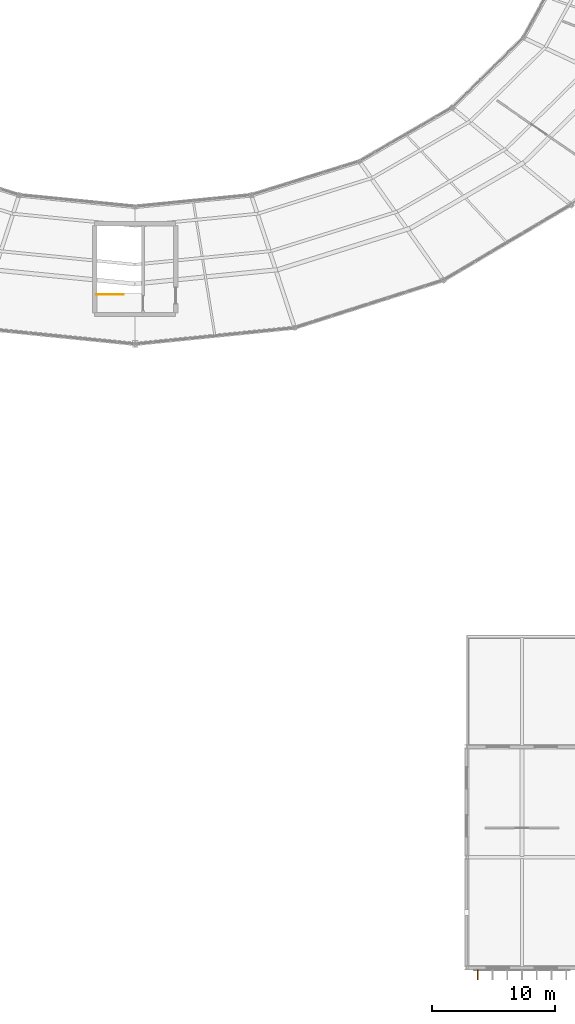
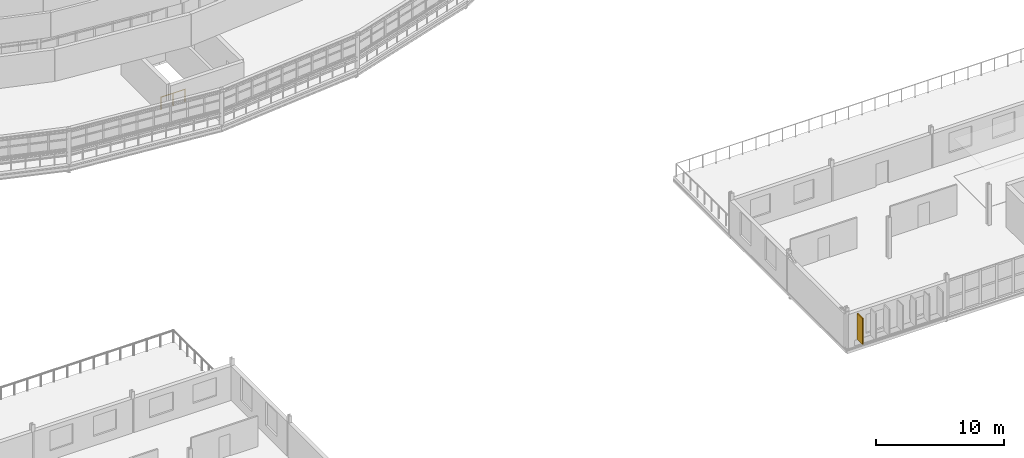
# One storey, part 116 of 123: 1 railing, 1 shading device.
"""IFC4 building model written with IfcOpenShell, lengths in metres."""

import ifcopenshell
import ifcopenshell.guid

model = None  # the IFC model being written
_history = None  # IfcOwnerHistory: only IFC2X3 demands one
_inside = {}  # id of a spatial element -> (the spatial element, [elements in it])
_under = {}  # id of a project, library or spatial element -> (it, [spatial elements below it])
_declared = {}  # id of a project -> (the project, [libraries it declares])
_typed = {}  # id of a type object -> (the type object, [elements of that type])
_made_of = {}  # id of a material, layer set ... -> (it, [elements and type objects made of it])


def new_model(schema):
    """Start an empty IFC model of exactly this schema.

    Asked for "IFC4X3", IfcOpenShell would pick the latest addendum, in which some entities
    have other attributes; the version numbers below select the first issue.
    IFC2X3 requires an IfcOwnerHistory on every rooted entity: one is made here for all.
    """
    global model, _history
    if schema == "IFC4X3":
        model = ifcopenshell.file(schema_version=(4, 3, 0, 0))
    else:
        model = ifcopenshell.file(schema=schema)
    _inside.clear()
    _under.clear()
    _declared.clear()
    _typed.clear()
    _made_of.clear()
    _history = None
    if model.schema == "IFC2X3":
        org = make("IfcOrganization", Name="unknown")
        user = make(
            "IfcPersonAndOrganization",
            ThePerson=make("IfcPerson", FamilyName="unknown"),
            TheOrganization=org,
        )
        app = make(
            "IfcApplication",
            ApplicationDeveloper=org,
            Version="unknown",
            ApplicationFullName="unknown",
            ApplicationIdentifier="unknown",
        )
        _history = make(
            "IfcOwnerHistory",
            OwningUser=user,
            OwningApplication=app,
            ChangeAction="ADDED",
            CreationDate=0,
        )
    return model


def make(cls, **values):
    """One entity of the class cls with the attributes given. An attribute that is None is left unset."""
    return model.create_entity(
        cls, **{name: value for name, value in values.items() if value is not None}
    )


def rooted(cls, **values):
    """An entity with a GlobalId (a new one), such as an element, a storey or a relation."""
    return make(cls, GlobalId=ifcopenshell.guid.new(), OwnerHistory=_history, **values)


def si_unit(unit_type, name, prefix=None):
    """IfcSIUnit, for example si_unit("LENGTHUNIT", "METRE", prefix="MILLI")."""
    return make("IfcSIUnit", UnitType=unit_type, Prefix=prefix, Name=name)


def assignment(units):
    """IfcUnitAssignment: the units of a project."""
    return None if units is None else make("IfcUnitAssignment", Units=units)


def point(xyz):
    """IfcCartesianPoint."""
    return None if xyz is None else make("IfcCartesianPoint", Coordinates=xyz)


def direction(xyz):
    """IfcDirection."""
    return None if xyz is None else make("IfcDirection", DirectionRatios=xyz)


def frame(location, z_axis=None, x_axis=None):
    """IfcAxis2Placement3D, a coordinate frame: its origin and axes. An axis left out is left unset."""
    return make(
        "IfcAxis2Placement3D",
        Location=point(location),
        Axis=direction(z_axis),
        RefDirection=direction(x_axis),
    )


def frame_2d(location, x_axis=None):
    """IfcAxis2Placement2D, a coordinate frame in the plane: its origin and x axis."""
    return make(
        "IfcAxis2Placement2D", Location=point(location), RefDirection=direction(x_axis)
    )


def origin():
    """The frame at (0, 0, 0) with its axes left unset."""
    return frame((0.0, 0.0, 0.0))


def origin_2d():
    """The frame at (0, 0) in the plane with its x axis left unset."""
    return frame_2d((0.0, 0.0))


def place(relative_to, where):
    """IfcLocalPlacement: puts the frame where relative to a parent placement (None: the world)."""
    return make(
        "IfcLocalPlacement", PlacementRelTo=relative_to, RelativePlacement=where
    )


def context(
    kind, dimensions, precision=None, world=None, true_north=None, identifier=None
):
    """IfcGeometricRepresentationContext, for example the 3D "Model" context."""
    return make(
        "IfcGeometricRepresentationContext",
        ContextIdentifier=identifier,
        ContextType=kind,
        CoordinateSpaceDimension=dimensions,
        Precision=precision,
        WorldCoordinateSystem=world,
        TrueNorth=true_north,
    )


def subcontext(parent, identifier, kind, view, scale=None):
    """IfcGeometricRepresentationSubContext, for example "Body" below "Model"."""
    return make(
        "IfcGeometricRepresentationSubContext",
        ContextIdentifier=identifier,
        ContextType=kind,
        ParentContext=parent,
        TargetScale=scale,
        TargetView=view,
    )


def project(units=None, contexts=None):
    """IfcProject with its units and contexts."""
    return rooted(
        "IfcProject",
        Name="project",
        RepresentationContexts=contexts,
        UnitsInContext=assignment(units),
    )


def spatial(cls, under=None, at=None, **own):
    """A site, building, storey or space (cls), placed at a placement, below another one or the project."""
    s = rooted(cls, ObjectPlacement=at, **own)
    if under is not None:
        _under.setdefault(under.id(), (under, []))[1].append(s)
    return s


def profile(cls, at=None, kind="AREA", **sizes):
    """A parametric profile (cls). Its sizes go by their IFC names, for example OverallWidth=200.0."""
    return make(cls, ProfileType=kind, Position=at, **sizes)


def rectangle(**sizes):
    """IfcRectangleProfileDef."""
    return profile("IfcRectangleProfileDef", **sizes)


def circle(**sizes):
    """IfcCircleProfileDef."""
    return profile("IfcCircleProfileDef", **sizes)


def extrude(swept, where, along, depth):
    """IfcExtrudedAreaSolid: the profile swept, set in the frame where, extruded along a direction by depth."""
    return make(
        "IfcExtrudedAreaSolid",
        SweptArea=swept,
        Position=where,
        ExtrudedDirection=direction(along),
        Depth=depth,
    )


def shape(context_of_items, identifier, shape_type, items):
    """IfcShapeRepresentation: the items that make up one representation, for example the "Body"."""
    return make(
        "IfcShapeRepresentation",
        ContextOfItems=context_of_items,
        RepresentationIdentifier=identifier,
        RepresentationType=shape_type,
        Items=items,
    )


def material(Name=None, Category=None):
    """IfcMaterial."""
    return make("IfcMaterial", Name=Name, Category=Category)


def layer(
    of_material, thickness, ventilated=None, Name=None, Category=None, Priority=None
):
    """IfcMaterialLayer: one layer of a wall or slab, of a material (None: an air gap)."""
    return make(
        "IfcMaterialLayer",
        Material=of_material,
        LayerThickness=thickness,
        IsVentilated=ventilated,
        Name=Name,
        Category=Category,
        Priority=Priority,
    )


def layer_set(layers, Name=None):
    """IfcMaterialLayerSet."""
    return make("IfcMaterialLayerSet", MaterialLayers=layers, LayerSetName=Name)


def made_of(thing, what):
    """Note that an element or type object is made of a material, layer set ...; save() writes the relation."""
    if what is not None:
        _made_of.setdefault(what.id(), (what, []))[1].append(thing)
    return thing


def type_object(cls, material=None, **own):
    """A type object (cls), such as IfcWallType, which elements share."""
    return made_of(rooted(cls, **own), material)


def element(
    cls,
    number,
    at=None,
    inside=None,
    cuts=None,
    type_object=None,
    material=None,
    context=None,
    identifier="Body",
    shape_type=None,
    held_by="IfcProductDefinitionShape",
    body=None,
    shapes=None,
    **own,
):
    """One element of the class cls, such as IfcWall. Its Tag is "e" and its number.

    at: its placement. inside: the storey or other place that contains it. cuts: it is an
    opening in that element (IfcRelVoidsElement). A single representation is given by context,
    identifier, shape_type and body (its items); several are given by shapes. held_by: the class
    of the entity that holds the representations. save() writes the other relations.
    """
    e = rooted(cls, Tag="e%d" % number, ObjectPlacement=at, **own)
    if body is not None:
        shapes = [shape(context, identifier, shape_type, body)]
    if shapes is not None:
        e.Representation = make(held_by, Representations=shapes)
    if inside is not None:
        _inside.setdefault(inside.id(), (inside, []))[1].append(e)
    if cuts is not None:
        rooted(
            "IfcRelVoidsElement", RelatingBuildingElement=cuts, RelatedOpeningElement=e
        )
    if type_object is not None:
        _typed.setdefault(type_object.id(), (type_object, []))[1].append(e)
    return made_of(e, material)


def aggregate(whole, parts):
    """IfcRelAggregates: a whole, such as a stair, and the parts it consists of."""
    return rooted("IfcRelAggregates", RelatingObject=whole, RelatedObjects=parts)


def save(model, path):
    """Write the relations noted so far, then the file.

    IfcRelAggregates (storeys below a building ...), IfcRelContainedInSpatialStructure (elements
    in a storey), IfcRelDefinesByType, IfcRelAssociatesMaterial and IfcRelDeclares: one each for
    every whole, place, type object, material and project.
    """
    for whole, parts in _under.values():
        aggregate(whole, parts)
    for where, things in _inside.values():
        rooted(
            "IfcRelContainedInSpatialStructure",
            RelatedElements=things,
            RelatingStructure=where,
        )
    for kind, things in _typed.values():
        rooted("IfcRelDefinesByType", RelatedObjects=things, RelatingType=kind)
    for what, things in _made_of.values():
        rooted("IfcRelAssociatesMaterial", RelatedObjects=things, RelatingMaterial=what)
    for by, libraries in _declared.values():
        rooted("IfcRelDeclares", RelatingContext=by, RelatedDefinitions=libraries)
    model.write(path)


model = new_model("IFC4")

# Units and contexts
model_context = context("Model", 3, precision=1e-05, world=origin(), true_north=direction((0.0, 1.0)))
body_context = subcontext(model_context, "Body", "Model", "MODEL_VIEW")
ifc_project = project(units=[si_unit("LENGTHUNIT", "METRE"), si_unit("AREAUNIT", "SQUARE_METRE"), si_unit("VOLUMEUNIT", "CUBIC_METRE"), si_unit("PLANEANGLEUNIT", "RADIAN"), si_unit("MASSUNIT", "GRAM", prefix="KILO")], contexts=[model_context])

# Site, building, storey
site_placement = place(None, origin())
site = spatial("IfcSite", under=ifc_project, at=site_placement, CompositionType="ELEMENT")
building_placement = place(site_placement, origin())
building = spatial("IfcBuilding", under=site, at=building_placement, Name="Kildeholm Park Wholesale Market", CompositionType="ELEMENT")
storey_placement = place(building_placement, frame((0.0, 0.0, 9.60009765625)))
storey = spatial("IfcBuildingStorey", under=building, at=storey_placement, Name="L02", CompositionType="ELEMENT", Elevation=9.60009765625)

# Shading device
ifc_material_1 = material(Name="Glazed ceramic and anodised aluminium brise-soleil", Category="aluminium")
ifc_layer = layer(ifc_material_1, 0.090087890625)
ifc_layer_set = layer_set([ifc_layer], Name="Glazed ceramic and anodised aluminium brise-soleil")
shading_device_type = type_object("IfcShadingDeviceType", Name="Brise-soleil solar fin SH-FIN2 850x90", PredefinedType="USERDEFINED", material=ifc_layer_set)
shading_device_placement = place(storey_placement, frame((126.89990234375, -0.56494140625, 0.599853515625), z_axis=(0.0, 0.0, 1.0), x_axis=(0.0, -1.0, 0.0)))
element("IfcShadingDevice", 1, at=shading_device_placement, inside=storey, type_object=shading_device_type, Name="Brise-soleil fin V5E-L02-S01-01.1 SHD-0161", ObjectType="SOLAR FIN", PredefinedType="USERDEFINED", context=body_context, shape_type="SweptSolid", body=[
    extrude(rectangle(XDim=0.85009765625, YDim=0.090087890625, at=origin_2d()), origin(), (0.0, 0.0, 1.0), 2.5),
])

# Railing
ifc_material_2 = material(Name="Painted steel and laminated glass balustrade", Category="steel")
railing_type = type_object("IfcRailingType", Name="Interior gallery and stairwell guard GR-IN1 1200 mm", PredefinedType="GUARDRAIL", material=ifc_material_2)
railing_placement = place(storey_placement, frame((95.860107421875, 54.830078125, 0.0)))
element("IfcRailing", 2, at=railing_placement, inside=storey, type_object=railing_type, Name="Stair C10 upper floor well guard L02 RLG-0119", PredefinedType="GUARDRAIL", context=body_context, shape_type="SweptSolid", body=[
    extrude(circle(Radius=0.02392578125, at=origin_2d()), frame((0.0, 0.0, 1.17578125), z_axis=(1.0, 0.0, 0.0), x_axis=(0.0, 1.0, 0.0)), (0.0, 0.0, 1.0), 2.18994140625),
    extrude(circle(Radius=0.02099609375, at=origin_2d()), origin(), (0.0, 0.0, 1.0), 1.15185546875),
    extrude(circle(Radius=0.02099609375, at=origin_2d()), frame((1.094970703125, 0.0, 0.0)), (0.0, 0.0, 1.0), 1.15185546875),
    extrude(circle(Radius=0.02099609375, at=origin_2d()), frame((2.18994140625, 0.0, 0.0)), (0.0, 0.0, 1.0), 1.15185546875),
])

save(model, "model.ifc")
